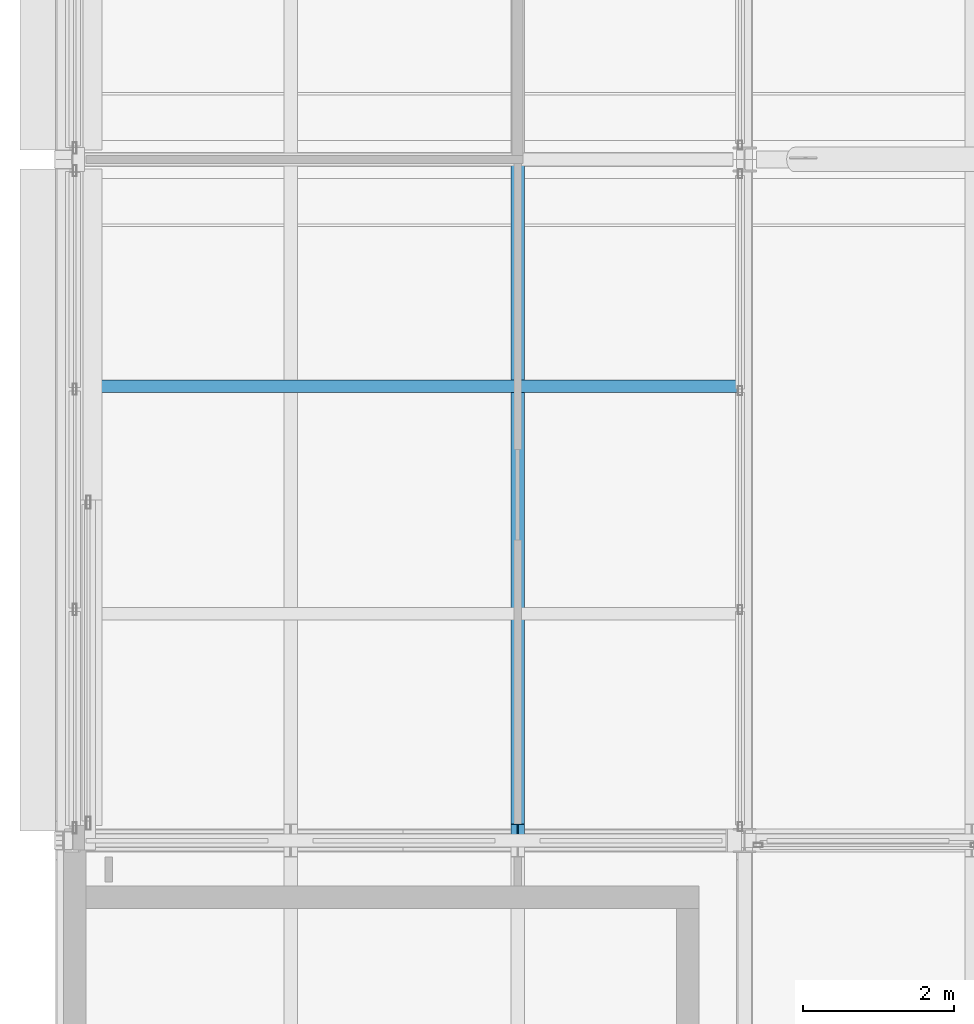
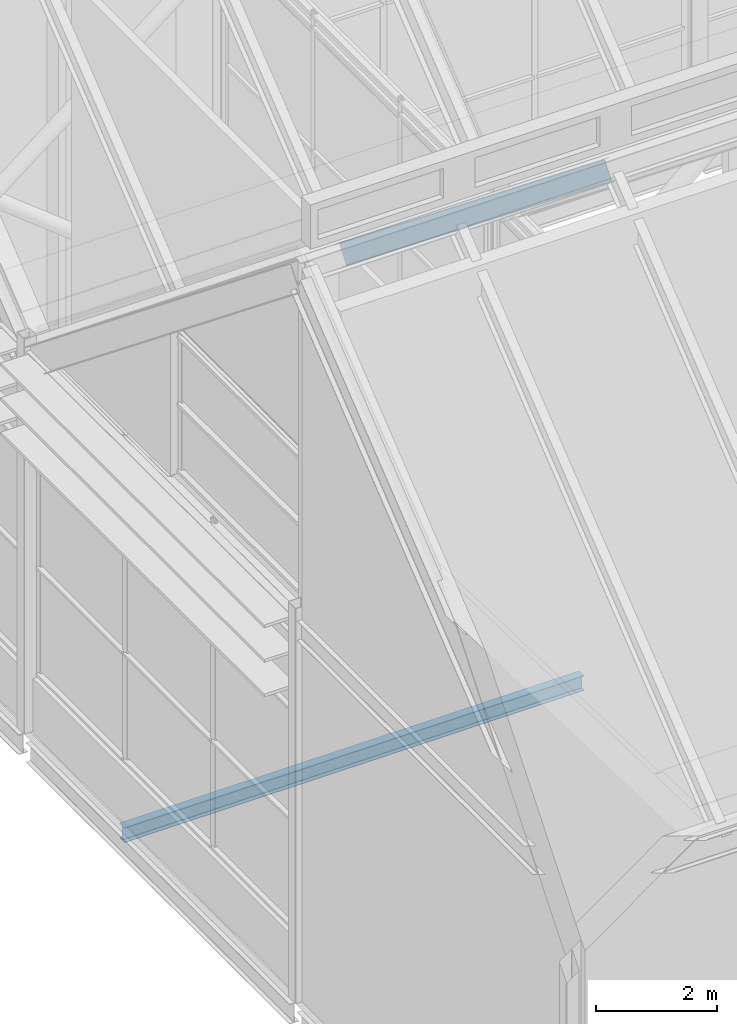
# One storey, part 18 of 144: 1 beam, 1 member.
"""IFC4 building model written with IfcOpenShell, lengths in metres."""

from ifc_helpers import new_model, si_unit, direction, frame, origin, origin_2d, place, context, subcontext, project, spatial, i_section, extrude, material, material_profile, profile_set, type_object, element, save


model = new_model("IFC4")

# Units and contexts
model_context = context("Model", 3, precision=1e-05, world=origin(), true_north=direction((0.0, 1.0)))
body_context = subcontext(model_context, "Body", "Model", "MODEL_VIEW")
ifc_project = project(units=[si_unit("LENGTHUNIT", "METRE"), si_unit("AREAUNIT", "SQUARE_METRE"), si_unit("VOLUMEUNIT", "CUBIC_METRE"), si_unit("PLANEANGLEUNIT", "RADIAN"), si_unit("MASSUNIT", "GRAM", prefix="KILO")], contexts=[model_context])

# Site, building, storey
site_placement = place(None, origin())
site = spatial("IfcSite", under=ifc_project, at=site_placement, CompositionType="ELEMENT")
building_placement = place(site_placement, origin())
building = spatial("IfcBuilding", under=site, at=building_placement, Name="Shorebreak Coast Museum", CompositionType="ELEMENT")
storey_placement = place(building_placement, frame((0.0, 0.0, 36.0)))
storey = spatial("IfcBuildingStorey", under=building, at=storey_placement, Name="L06", CompositionType="ELEMENT", Elevation=36.0)

# Beam
ifc_material_1 = material(Name="Steel Grade 300", Category="steel")
ifc_material_profile_1 = material_profile(ifc_material_1, i_section(OverallWidth=0.1650390625, OverallDepth=0.303955078125, WebThickness=0.006103515625, FlangeThickness=0.01025390625, FilletRadius=0.011474609375, at=origin_2d()), Name="310UB40.4")
ifc_profile_set_1 = profile_set([ifc_material_profile_1], Name="Steel Grade 300")
beam_type = type_object("IfcBeamType", Name="Floor joist 310UB40.4", PredefinedType="JOIST", material=ifc_profile_set_1)
beam_placement = place(storey_placement, frame((54.089111328125, 69.0, -0.326904296875), z_axis=(1.0, 0.0, 0.0), x_axis=(0.0, 1.0, 0.0)))
element("IfcBeam", 1, at=beam_placement, inside=storey, type_object=beam_type, Name="Floor joist L06 bay 7H at 6000 mm", PredefinedType="JOIST", context=body_context, shape_type="SweptSolid", body=[
    extrude(i_section(OverallWidth=0.1650390625, OverallDepth=0.303955078125, WebThickness=0.006103515625, FlangeThickness=0.01025390625, FilletRadius=0.011474609375, at=origin_2d()), origin(), (0.0, 0.0, 1.0), 8.8154296875),
])

# Member
ifc_material_2 = material(Name="Steel Grade 300", Category="steel")
ifc_material_profile_2 = material_profile(ifc_material_2, i_section(OverallWidth=0.177978515625, OverallDepth=0.402587890625, WebThickness=0.007568359375, FlangeThickness=0.010986328125, FilletRadius=0.011474609375, at=origin_2d()), Name="410UB53.7")
ifc_profile_set_2 = profile_set([ifc_material_profile_2], Name="Steel Grade 300")
member_type = type_object("IfcMemberType", Name="Fold rafter 410UB53.7", PredefinedType="RAFTER", material=ifc_profile_set_2)
member_placement = place(storey_placement, frame((60.0, 63.094970703125, 14.610107421875), z_axis=(0.0, 0.780866698312, -0.624697686459), x_axis=(-1.0, 0.0, 0.0)))
element("IfcMember", 2, at=member_placement, inside=storey, type_object=member_type, Name="Fold rafter FOLD-X line 2 03", PredefinedType="RAFTER", context=body_context, shape_type="SweptSolid", body=[
    extrude(i_section(OverallWidth=0.177978515625, OverallDepth=0.402587890625, WebThickness=0.007568359375, FlangeThickness=0.010986328125, FilletRadius=0.011474609375, at=origin_2d()), origin(), (0.0, 0.0, 1.0), 11.282470703125),
])

save(model, "model.ifc")
